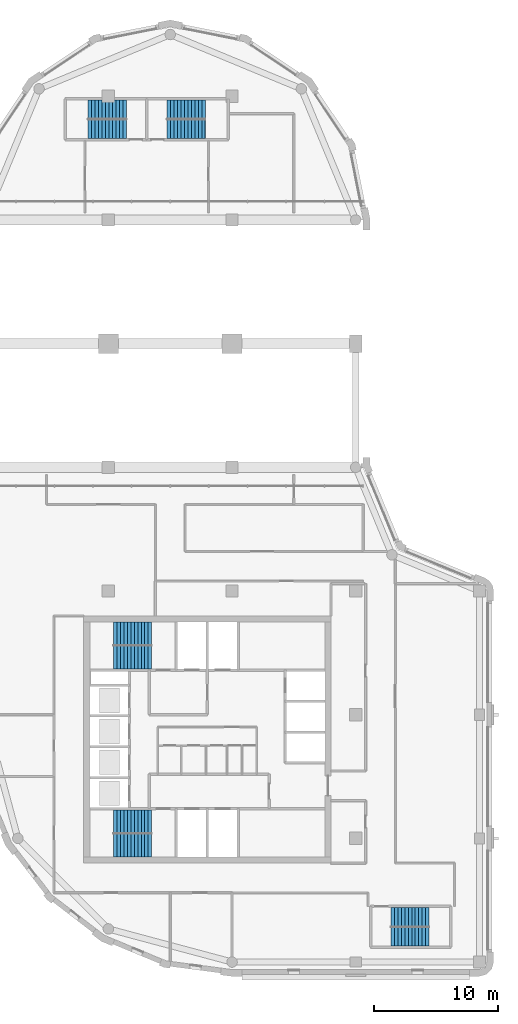
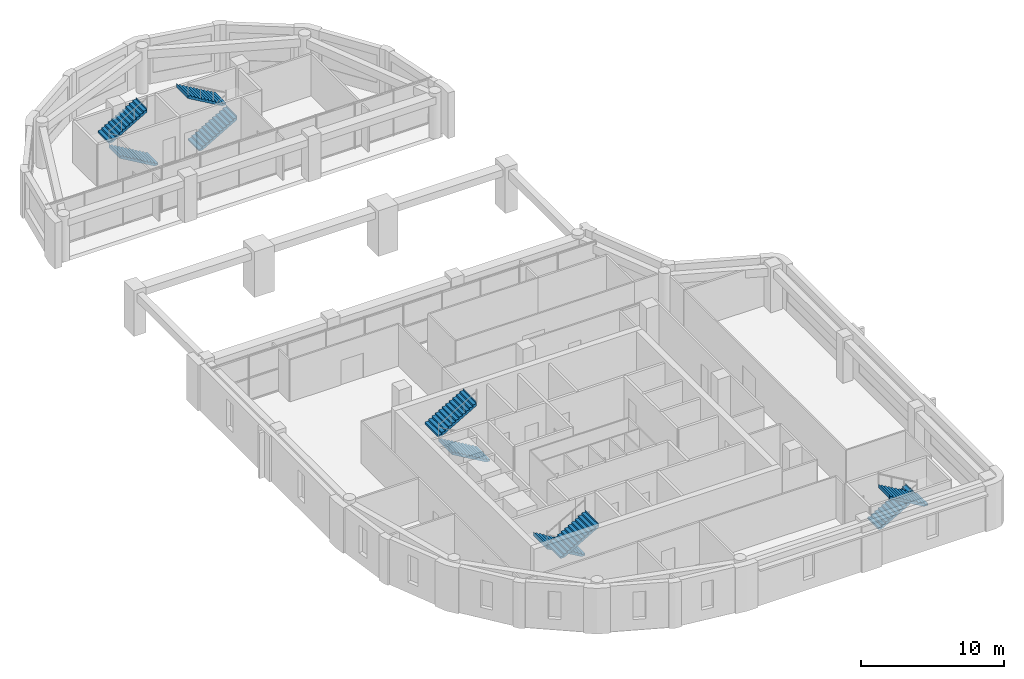
# One storey, part 9 of 11: 10 stair flights, 5 elements without a shape of their own.
"""IFC4 building model written with IfcOpenShell, lengths in metres."""

from ifc_helpers import new_model, si_unit, direction, frame, origin, place, context, subcontext, project, spatial, polyline, outline, extrude, material, type_object, element, aggregate, save


model = new_model("IFC4")

# Units and contexts
model_context = context("Model", 3, precision=1e-05, world=origin(), true_north=direction((0.0, 1.0)))
body_context = subcontext(model_context, "Body", "Model", "MODEL_VIEW")
ifc_project = project(units=[si_unit("LENGTHUNIT", "METRE"), si_unit("AREAUNIT", "SQUARE_METRE"), si_unit("VOLUMEUNIT", "CUBIC_METRE"), si_unit("PLANEANGLEUNIT", "RADIAN"), si_unit("MASSUNIT", "GRAM", prefix="KILO")], contexts=[model_context])

# Site, building, storey
site_placement = place(None, origin())
site = spatial("IfcSite", under=ifc_project, at=site_placement, CompositionType="ELEMENT")
building_placement = place(site_placement, origin())
building = spatial("IfcBuilding", under=site, at=building_placement, Name="Qaws Garden Tower", CompositionType="ELEMENT")
storey_placement = place(building_placement, frame((0.0, 0.0, 321.60009765625)))
storey = spatial("IfcBuildingStorey", under=building, at=storey_placement, Name="L78", CompositionType="ELEMENT", Elevation=321.60009765625)

# Stair, stair flights
ifc_material_1 = material(Name="Concrete C40", Category="concrete")
stair_type_1 = type_object("IfcStairType", Name="Exit stair 1350", PredefinedType="HALF_TURN_STAIR", material=ifc_material_1)
placement = place(storey_placement, origin())
stair_1 = element("IfcStair", 1, at=placement, inside=storey, type_object=stair_type_1, Name="Stair 5", PredefinedType="HALF_TURN_STAIR")
ifc_material_2 = material(Name="Concrete C40", Category="concrete")
stair_flight_type_1 = type_object("IfcStairFlightType", Name="Stair flight 1350", PredefinedType="STRAIGHT", material=ifc_material_2)
stair_flight_1_placement = place(storey_placement, frame((32.85009765625, 3.625, 0.0), z_axis=(0.0, 0.0, 1.0), x_axis=(1.0, 0.0, 0.0)))
stair_flight_1 = element("IfcStairFlight", 2, at=stair_flight_1_placement, type_object=stair_flight_type_1, Name="ST5 flight 1", NumberOfRisers=12, NumberOfTreads=11, PredefinedType="STRAIGHT", RiserHeight=0.1625, TreadLength=0.28, context=body_context, shape_type="SweptSolid", body=[
    extrude(outline(polyline([(-0.0029296875, 0.0), (-0.0029296875, 0.16259765625), (0.0, 0.16259765625), (0.280029296875, 0.16259765625), (0.280029296875, 0.324951171875), (0.56005859375, 0.324951171875), (0.56005859375, 0.487548828125), (0.840087890625, 0.487548828125), (0.840087890625, 0.64990234375), (1.1201171875, 0.64990234375), (1.1201171875, 0.8125), (1.39990234375, 0.8125), (1.39990234375, 0.97509765625), (1.679931640625, 0.97509765625), (1.679931640625, 1.137451171875), (1.9599609375, 1.137451171875), (1.9599609375, 1.300048828125), (2.239990234375, 1.300048828125), (2.239990234375, 1.46240234375), (2.52001953125, 1.46240234375), (2.52001953125, 1.625), (2.800048828125, 1.625), (2.800048828125, 1.78759765625), (3.080078125, 1.78759765625), (3.080078125, 1.949951171875), (3.0830078125, 1.949951171875), (3.0830078125, 1.6142578125), (3.080078125, 1.6142578125), (0.298583984375, 0.0), (-0.0029296875, 0.0)])), frame((0.0, 0.77490234375, 0.0), z_axis=(0.0, -1.0, 0.0), x_axis=(1.0, 0.0, 0.0)), (0.0, 0.0, 1.0), 1.550048828125),
])
stair_flight_2_placement = place(storey_placement, frame((35.929931640625, 2.074951171875, 1.949951171875), z_axis=(0.0, 0.0, 1.0), x_axis=(-1.0, 0.0, 0.0)))
stair_flight_2 = element("IfcStairFlight", 3, at=stair_flight_2_placement, type_object=stair_flight_type_1, Name="ST5 flight 2", NumberOfRisers=12, NumberOfTreads=11, PredefinedType="STRAIGHT", RiserHeight=0.1625, TreadLength=0.28, context=body_context, shape_type="SweptSolid", body=[
    extrude(outline(polyline([(-0.0029296875, 0.0), (-0.0029296875, 0.16259765625), (0.0, 0.16259765625), (0.280029296875, 0.16259765625), (0.280029296875, 0.324951171875), (0.56005859375, 0.324951171875), (0.56005859375, 0.487548828125), (0.840087890625, 0.487548828125), (0.840087890625, 0.64990234375), (1.1201171875, 0.64990234375), (1.1201171875, 0.8125), (1.39990234375, 0.8125), (1.39990234375, 0.97509765625), (1.679931640625, 0.97509765625), (1.679931640625, 1.137451171875), (1.9599609375, 1.137451171875), (1.9599609375, 1.300048828125), (2.239990234375, 1.300048828125), (2.239990234375, 1.46240234375), (2.52001953125, 1.46240234375), (2.52001953125, 1.625), (2.800048828125, 1.625), (2.800048828125, 1.78759765625), (3.080078125, 1.78759765625), (3.080078125, 1.949951171875), (3.0830078125, 1.949951171875), (3.0830078125, 1.6142578125), (3.080078125, 1.6142578125), (0.298583984375, 0.0), (-0.0029296875, 0.0)])), frame((0.0, 0.77490234375, 0.0), z_axis=(0.0, -1.0, 0.0), x_axis=(1.0, 0.0, 0.0)), (0.0, 0.0, 1.0), 1.550048828125),
])
aggregate(stair_1, [stair_flight_1, stair_flight_2])

stair_2 = element("IfcStair", 4, at=placement, inside=storey, type_object=stair_type_1, Name="Stair 6", PredefinedType="HALF_TURN_STAIR")
stair_flight_3_placement = place(storey_placement, frame((11.449951171875, 67.375, 0.0), z_axis=(0.0, 0.0, 1.0), x_axis=(-1.0, 0.0, 0.0)))
stair_flight_3 = element("IfcStairFlight", 5, at=stair_flight_3_placement, type_object=stair_flight_type_1, Name="ST6 flight 1", NumberOfRisers=12, NumberOfTreads=11, PredefinedType="STRAIGHT", RiserHeight=0.1625, TreadLength=0.28, context=body_context, shape_type="SweptSolid", body=[
    extrude(outline(polyline([(-0.0029296875, 0.0), (-0.0029296875, 0.16259765625), (0.0, 0.16259765625), (0.280029296875, 0.16259765625), (0.280029296875, 0.324951171875), (0.56005859375, 0.324951171875), (0.56005859375, 0.487548828125), (0.840087890625, 0.487548828125), (0.840087890625, 0.64990234375), (1.1201171875, 0.64990234375), (1.1201171875, 0.8125), (1.39990234375, 0.8125), (1.39990234375, 0.97509765625), (1.679931640625, 0.97509765625), (1.679931640625, 1.137451171875), (1.9599609375, 1.137451171875), (1.9599609375, 1.300048828125), (2.239990234375, 1.300048828125), (2.239990234375, 1.46240234375), (2.52001953125, 1.46240234375), (2.52001953125, 1.625), (2.800048828125, 1.625), (2.800048828125, 1.78759765625), (3.080078125, 1.78759765625), (3.080078125, 1.949951171875), (3.0830078125, 1.949951171875), (3.0830078125, 1.6142578125), (3.080078125, 1.6142578125), (0.298583984375, 0.0), (-0.0029296875, 0.0)])), frame((0.0, 0.77490234375, 0.0), z_axis=(0.0, -1.0, 0.0), x_axis=(1.0, 0.0, 0.0)), (0.0, 0.0, 1.0), 1.550048828125),
])
stair_flight_4_placement = place(storey_placement, frame((8.3701171875, 68.925048828125, 1.949951171875), z_axis=(0.0, 0.0, 1.0), x_axis=(1.0, 0.0, 0.0)))
stair_flight_4 = element("IfcStairFlight", 6, at=stair_flight_4_placement, type_object=stair_flight_type_1, Name="ST6 flight 2", NumberOfRisers=12, NumberOfTreads=11, PredefinedType="STRAIGHT", RiserHeight=0.1625, TreadLength=0.28, context=body_context, shape_type="SweptSolid", body=[
    extrude(outline(polyline([(-0.0029296875, 0.0), (-0.0029296875, 0.16259765625), (0.0, 0.16259765625), (0.280029296875, 0.16259765625), (0.280029296875, 0.324951171875), (0.56005859375, 0.324951171875), (0.56005859375, 0.487548828125), (0.840087890625, 0.487548828125), (0.840087890625, 0.64990234375), (1.1201171875, 0.64990234375), (1.1201171875, 0.8125), (1.39990234375, 0.8125), (1.39990234375, 0.97509765625), (1.679931640625, 0.97509765625), (1.679931640625, 1.137451171875), (1.9599609375, 1.137451171875), (1.9599609375, 1.300048828125), (2.239990234375, 1.300048828125), (2.239990234375, 1.46240234375), (2.52001953125, 1.46240234375), (2.52001953125, 1.625), (2.800048828125, 1.625), (2.800048828125, 1.78759765625), (3.080078125, 1.78759765625), (3.080078125, 1.949951171875), (3.0830078125, 1.949951171875), (3.0830078125, 1.6142578125), (3.080078125, 1.6142578125), (0.298583984375, 0.0), (-0.0029296875, 0.0)])), frame((0.0, 0.77490234375, 0.0), z_axis=(0.0, -1.0, 0.0), x_axis=(1.0, 0.0, 0.0)), (0.0, 0.0, 1.0), 1.550048828125),
])
aggregate(stair_2, [stair_flight_3, stair_flight_4])

stair_3 = element("IfcStair", 7, at=placement, inside=storey, type_object=stair_type_1, Name="Stair 7", PredefinedType="HALF_TURN_STAIR")
stair_flight_5_placement = place(storey_placement, frame((14.75, 67.375, 0.0), z_axis=(0.0, 0.0, 1.0), x_axis=(1.0, 0.0, 0.0)))
stair_flight_5 = element("IfcStairFlight", 8, at=stair_flight_5_placement, type_object=stair_flight_type_1, Name="ST7 flight 1", NumberOfRisers=12, NumberOfTreads=11, PredefinedType="STRAIGHT", RiserHeight=0.1625, TreadLength=0.28, context=body_context, shape_type="SweptSolid", body=[
    extrude(outline(polyline([(-0.0029296875, 0.0), (-0.0029296875, 0.16259765625), (0.0, 0.16259765625), (0.280029296875, 0.16259765625), (0.280029296875, 0.324951171875), (0.56005859375, 0.324951171875), (0.56005859375, 0.487548828125), (0.840087890625, 0.487548828125), (0.840087890625, 0.64990234375), (1.1201171875, 0.64990234375), (1.1201171875, 0.8125), (1.39990234375, 0.8125), (1.39990234375, 0.97509765625), (1.679931640625, 0.97509765625), (1.679931640625, 1.137451171875), (1.9599609375, 1.137451171875), (1.9599609375, 1.300048828125), (2.239990234375, 1.300048828125), (2.239990234375, 1.46240234375), (2.52001953125, 1.46240234375), (2.52001953125, 1.625), (2.800048828125, 1.625), (2.800048828125, 1.78759765625), (3.080078125, 1.78759765625), (3.080078125, 1.949951171875), (3.0830078125, 1.949951171875), (3.0830078125, 1.6142578125), (3.080078125, 1.6142578125), (0.298583984375, 0.0), (-0.0029296875, 0.0)])), frame((0.0, 0.77490234375, 0.0), z_axis=(0.0, -1.0, 0.0), x_axis=(1.0, 0.0, 0.0)), (0.0, 0.0, 1.0), 1.550048828125),
])
stair_flight_6_placement = place(storey_placement, frame((17.830078125, 68.925048828125, 1.949951171875), z_axis=(0.0, 0.0, 1.0), x_axis=(-1.0, 0.0, 0.0)))
stair_flight_6 = element("IfcStairFlight", 9, at=stair_flight_6_placement, type_object=stair_flight_type_1, Name="ST7 flight 2", NumberOfRisers=12, NumberOfTreads=11, PredefinedType="STRAIGHT", RiserHeight=0.1625, TreadLength=0.28, context=body_context, shape_type="SweptSolid", body=[
    extrude(outline(polyline([(-0.0029296875, 0.0), (-0.0029296875, 0.16259765625), (0.0, 0.16259765625), (0.280029296875, 0.16259765625), (0.280029296875, 0.324951171875), (0.56005859375, 0.324951171875), (0.56005859375, 0.487548828125), (0.840087890625, 0.487548828125), (0.840087890625, 0.64990234375), (1.1201171875, 0.64990234375), (1.1201171875, 0.8125), (1.39990234375, 0.8125), (1.39990234375, 0.97509765625), (1.679931640625, 0.97509765625), (1.679931640625, 1.137451171875), (1.9599609375, 1.137451171875), (1.9599609375, 1.300048828125), (2.239990234375, 1.300048828125), (2.239990234375, 1.46240234375), (2.52001953125, 1.46240234375), (2.52001953125, 1.625), (2.800048828125, 1.625), (2.800048828125, 1.78759765625), (3.080078125, 1.78759765625), (3.080078125, 1.949951171875), (3.0830078125, 1.949951171875), (3.0830078125, 1.6142578125), (3.080078125, 1.6142578125), (0.298583984375, 0.0), (-0.0029296875, 0.0)])), frame((0.0, 0.77490234375, 0.0), z_axis=(0.0, -1.0, 0.0), x_axis=(1.0, 0.0, 0.0)), (0.0, 0.0, 1.0), 1.550048828125),
])
aggregate(stair_3, [stair_flight_5, stair_flight_6])

ifc_material_3 = material(Name="Concrete C40", Category="concrete")
stair_type_2 = type_object("IfcStairType", Name="Exit stair 1500", PredefinedType="HALF_TURN_STAIR", material=ifc_material_3)
stair_4 = element("IfcStair", 10, at=placement, inside=storey, type_object=stair_type_2, Name="Stair 1", PredefinedType="HALF_TURN_STAIR")
ifc_material_4 = material(Name="Concrete C40", Category="concrete")
stair_flight_type_2 = type_object("IfcStairFlightType", Name="Stair flight 1500", PredefinedType="STRAIGHT", material=ifc_material_4)
stair_flight_7_placement = place(storey_placement, frame((13.5, 11.35009765625, 0.0), z_axis=(0.0, 0.0, 1.0), x_axis=(-1.0, 0.0, 0.0)))
stair_flight_7 = element("IfcStairFlight", 11, at=stair_flight_7_placement, type_object=stair_flight_type_2, Name="ST1 flight 1", NumberOfRisers=12, NumberOfTreads=11, PredefinedType="STRAIGHT", RiserHeight=0.1625, TreadLength=0.28, context=body_context, shape_type="SweptSolid", body=[
    extrude(outline(polyline([(-0.0029296875, 0.0), (-0.0029296875, 0.16259765625), (0.0, 0.16259765625), (0.280029296875, 0.16259765625), (0.280029296875, 0.324951171875), (0.56005859375, 0.324951171875), (0.56005859375, 0.487548828125), (0.840087890625, 0.487548828125), (0.840087890625, 0.64990234375), (1.1201171875, 0.64990234375), (1.1201171875, 0.8125), (1.39990234375, 0.8125), (1.39990234375, 0.97509765625), (1.679931640625, 0.97509765625), (1.679931640625, 1.137451171875), (1.9599609375, 1.137451171875), (1.9599609375, 1.300048828125), (2.239990234375, 1.300048828125), (2.239990234375, 1.46240234375), (2.52001953125, 1.46240234375), (2.52001953125, 1.625), (2.800048828125, 1.625), (2.800048828125, 1.78759765625), (3.080078125, 1.78759765625), (3.080078125, 1.949951171875), (3.0830078125, 1.949951171875), (3.0830078125, 1.6142578125), (3.080078125, 1.6142578125), (0.298583984375, 0.0), (-0.0029296875, 0.0)])), frame((0.0, 0.949951171875, 0.0), z_axis=(0.0, -1.0, 0.0), x_axis=(1.0, 0.0, 0.0)), (0.0, 0.0, 1.0), 1.89990234375),
])
stair_flight_8_placement = place(storey_placement, frame((10.419921875, 9.449951171875, 1.949951171875), z_axis=(0.0, 0.0, 1.0), x_axis=(1.0, 0.0, 0.0)))
stair_flight_8 = element("IfcStairFlight", 12, at=stair_flight_8_placement, type_object=stair_flight_type_2, Name="ST1 flight 2", NumberOfRisers=12, NumberOfTreads=11, PredefinedType="STRAIGHT", RiserHeight=0.1625, TreadLength=0.28, context=body_context, shape_type="SweptSolid", body=[
    extrude(outline(polyline([(-0.0029296875, 0.0), (-0.0029296875, 0.16259765625), (0.0, 0.16259765625), (0.280029296875, 0.16259765625), (0.280029296875, 0.324951171875), (0.56005859375, 0.324951171875), (0.56005859375, 0.487548828125), (0.840087890625, 0.487548828125), (0.840087890625, 0.64990234375), (1.1201171875, 0.64990234375), (1.1201171875, 0.8125), (1.39990234375, 0.8125), (1.39990234375, 0.97509765625), (1.679931640625, 0.97509765625), (1.679931640625, 1.137451171875), (1.9599609375, 1.137451171875), (1.9599609375, 1.300048828125), (2.239990234375, 1.300048828125), (2.239990234375, 1.46240234375), (2.52001953125, 1.46240234375), (2.52001953125, 1.625), (2.800048828125, 1.625), (2.800048828125, 1.78759765625), (3.080078125, 1.78759765625), (3.080078125, 1.949951171875), (3.0830078125, 1.949951171875), (3.0830078125, 1.6142578125), (3.080078125, 1.6142578125), (0.298583984375, 0.0), (-0.0029296875, 0.0)])), frame((0.0, 0.949951171875, 0.0), z_axis=(0.0, -1.0, 0.0), x_axis=(1.0, 0.0, 0.0)), (0.0, 0.0, 1.0), 1.89990234375),
])
aggregate(stair_4, [stair_flight_7, stair_flight_8])

stair_5 = element("IfcStair", 13, at=placement, inside=storey, type_object=stair_type_2, Name="Stair 4", PredefinedType="HALF_TURN_STAIR")
stair_flight_9_placement = place(storey_placement, frame((13.5, 24.64990234375, 0.0), z_axis=(0.0, 0.0, 1.0), x_axis=(-1.0, 0.0, 0.0)))
stair_flight_9 = element("IfcStairFlight", 14, at=stair_flight_9_placement, type_object=stair_flight_type_2, Name="ST4 flight 1", NumberOfRisers=12, NumberOfTreads=11, PredefinedType="STRAIGHT", RiserHeight=0.1625, TreadLength=0.28, context=body_context, shape_type="SweptSolid", body=[
    extrude(outline(polyline([(-0.0029296875, 0.0), (-0.0029296875, 0.16259765625), (0.0, 0.16259765625), (0.280029296875, 0.16259765625), (0.280029296875, 0.324951171875), (0.56005859375, 0.324951171875), (0.56005859375, 0.487548828125), (0.840087890625, 0.487548828125), (0.840087890625, 0.64990234375), (1.1201171875, 0.64990234375), (1.1201171875, 0.8125), (1.39990234375, 0.8125), (1.39990234375, 0.97509765625), (1.679931640625, 0.97509765625), (1.679931640625, 1.137451171875), (1.9599609375, 1.137451171875), (1.9599609375, 1.300048828125), (2.239990234375, 1.300048828125), (2.239990234375, 1.46240234375), (2.52001953125, 1.46240234375), (2.52001953125, 1.625), (2.800048828125, 1.625), (2.800048828125, 1.78759765625), (3.080078125, 1.78759765625), (3.080078125, 1.949951171875), (3.0830078125, 1.949951171875), (3.0830078125, 1.6142578125), (3.080078125, 1.6142578125), (0.298583984375, 0.0), (-0.0029296875, 0.0)])), frame((0.0, 0.94482421875, 0.0), z_axis=(0.0, -1.0, 0.0), x_axis=(1.0, 0.0, 0.0)), (0.0, 0.0, 1.0), 1.889892578125),
])
stair_flight_10_placement = place(storey_placement, frame((10.419921875, 26.550048828125, 1.949951171875), z_axis=(0.0, 0.0, 1.0), x_axis=(1.0, 0.0, 0.0)))
stair_flight_10 = element("IfcStairFlight", 15, at=stair_flight_10_placement, type_object=stair_flight_type_2, Name="ST4 flight 2", NumberOfRisers=12, NumberOfTreads=11, PredefinedType="STRAIGHT", RiserHeight=0.1625, TreadLength=0.28, context=body_context, shape_type="SweptSolid", body=[
    extrude(outline(polyline([(-0.0029296875, 0.0), (-0.0029296875, 0.16259765625), (0.0, 0.16259765625), (0.280029296875, 0.16259765625), (0.280029296875, 0.324951171875), (0.56005859375, 0.324951171875), (0.56005859375, 0.487548828125), (0.840087890625, 0.487548828125), (0.840087890625, 0.64990234375), (1.1201171875, 0.64990234375), (1.1201171875, 0.8125), (1.39990234375, 0.8125), (1.39990234375, 0.97509765625), (1.679931640625, 0.97509765625), (1.679931640625, 1.137451171875), (1.9599609375, 1.137451171875), (1.9599609375, 1.300048828125), (2.239990234375, 1.300048828125), (2.239990234375, 1.46240234375), (2.52001953125, 1.46240234375), (2.52001953125, 1.625), (2.800048828125, 1.625), (2.800048828125, 1.78759765625), (3.080078125, 1.78759765625), (3.080078125, 1.949951171875), (3.0830078125, 1.949951171875), (3.0830078125, 1.6142578125), (3.080078125, 1.6142578125), (0.298583984375, 0.0), (-0.0029296875, 0.0)])), frame((0.0, 0.94482421875, 0.0), z_axis=(0.0, -1.0, 0.0), x_axis=(1.0, 0.0, 0.0)), (0.0, 0.0, 1.0), 1.889892578125),
])
aggregate(stair_5, [stair_flight_9, stair_flight_10])

save(model, "model.ifc")
